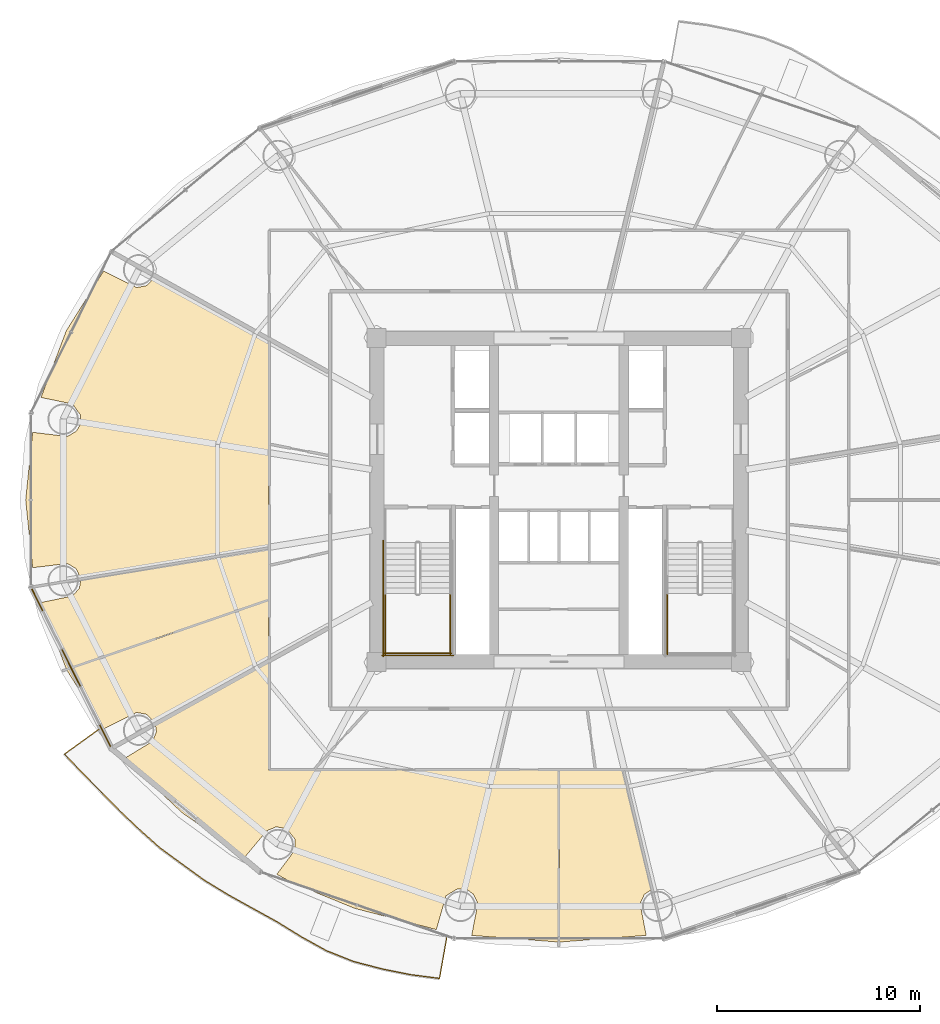
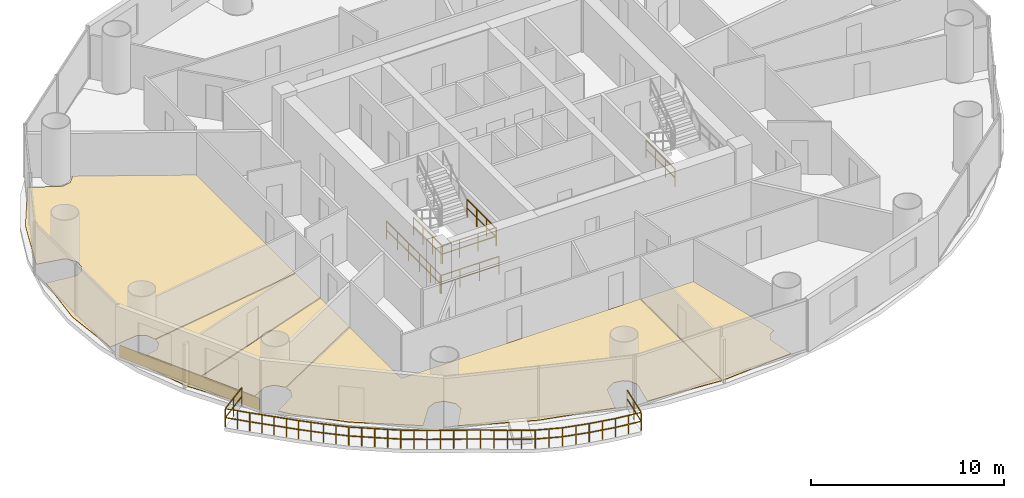
# One storey, part 26 of 29: 7 railings, 6 coverings.
"""IFC4 building model written with IfcOpenShell, lengths in metres."""

from ifc_helpers import new_model, si_unit, direction, frame, origin, origin_2d, place, context, subcontext, project, spatial, polyline, rectangle, outline, extrude, source, transform, mapped, material, layer, layer_set, type_object, element, save


model = new_model("IFC4")

# Units and contexts
model_context = context("Model", 3, precision=1e-05, world=origin(), true_north=direction((-0.2419218956, 0.970295726276)))
body_context = subcontext(model_context, "Body", "Model", "MODEL_VIEW")
ifc_project = project(units=[si_unit("LENGTHUNIT", "METRE"), si_unit("AREAUNIT", "SQUARE_METRE"), si_unit("VOLUMEUNIT", "CUBIC_METRE"), si_unit("PLANEANGLEUNIT", "RADIAN"), si_unit("MASSUNIT", "GRAM", prefix="KILO")], contexts=[model_context])

# Site, building, storey
site_placement = place(None, origin())
site = spatial("IfcSite", under=ifc_project, at=site_placement, CompositionType="ELEMENT")
building_placement = place(site_placement, origin())
building = spatial("IfcBuilding", under=site, at=building_placement, Name="Cobrevalo Terracotta Tower", CompositionType="ELEMENT")
storey_placement = place(building_placement, frame((0.0, 0.0, 123.0)))
storey = spatial("IfcBuildingStorey", under=building, at=storey_placement, Name="L32", CompositionType="ELEMENT", Elevation=123.0)

# Railing
ifc_material_1 = material(Name="Laminated structural glass and stainless steel", Category="steel")
railing_type_1 = type_object("IfcRailingType", Name="Balcony lobe structural glass & terracotta-cap balustrade 1180 mm", PredefinedType="BALUSTRADE", material=ifc_material_1)
railing_1_placement = place(storey_placement, frame((15.290771484375, 15.48388671875, 0.0)))
element("IfcRailing", 1, at=railing_1_placement, inside=storey, type_object=railing_type_1, Name="L32 spiralling balcony lobe balustrade 2", PredefinedType="BALUSTRADE", context=body_context, shape_type="SweptSolid", body=[
    extrude(rectangle(XDim=0.048095703125, YDim=0.048095703125, at=origin_2d()), frame((0.0, 0.0, 1.15576171875), z_axis=(-0.81100517667, -0.585038975978, 0.0), x_axis=(0.585038975978, -0.81100517667, 0.0)), (0.0, 0.0, 1.0), 2.0927734375),
    extrude(rectangle(XDim=0.048095703125, YDim=0.048095703125, at=origin_2d()), frame((0.0, 0.0, 0.58984375), z_axis=(-0.81100517667, -0.585038975978, 0.0), x_axis=(0.585038975978, -0.81100517667, 0.0)), (0.0, 0.0, 1.0), 2.0927734375),
    extrude(rectangle(XDim=0.048095703125, YDim=0.048095703125, at=origin_2d()), frame((-1.697265625, -1.224365234375, 1.15576171875), z_axis=(0.688307770332, -0.725418784773, 0.0), x_axis=(0.725418784773, 0.688307770332, 0.0)), (0.0, 0.0, 1.0), 1.322265625),
    extrude(rectangle(XDim=0.048095703125, YDim=0.048095703125, at=origin_2d()), frame((-1.697265625, -1.224365234375, 0.58984375), z_axis=(0.688307770332, -0.725418784773, 0.0), x_axis=(0.725418784773, 0.688307770332, 0.0)), (0.0, 0.0, 1.0), 1.322265625),
    extrude(rectangle(XDim=0.048095703125, YDim=0.048095703125, at=origin_2d()), frame((-0.787109375, -2.18359375, 1.15576171875), z_axis=(0.704398841693, -0.70980438983, 0.0), x_axis=(0.70980438983, 0.704398841693, 0.0)), (0.0, 0.0, 1.0), 1.309814453125),
    extrude(rectangle(XDim=0.048095703125, YDim=0.048095703125, at=origin_2d()), frame((-0.787109375, -2.18359375, 0.58984375), z_axis=(0.704398841693, -0.70980438983, 0.0), x_axis=(0.70980438983, 0.704398841693, 0.0)), (0.0, 0.0, 1.0), 1.309814453125),
    extrude(rectangle(XDim=0.048095703125, YDim=0.048095703125, at=origin_2d()), frame((0.135498046875, -3.11328125, 1.15576171875), z_axis=(0.698748314657, -0.715367592754, 0.0), x_axis=(0.715367592754, 0.698748314657, 0.0)), (0.0, 0.0, 1.0), 1.322021484375),
    extrude(rectangle(XDim=0.048095703125, YDim=0.048095703125, at=origin_2d()), frame((0.135498046875, -3.11328125, 0.58984375), z_axis=(0.698748314657, -0.715367592754, 0.0), x_axis=(0.715367592754, 0.698748314657, 0.0)), (0.0, 0.0, 1.0), 1.322021484375),
    extrude(rectangle(XDim=0.048095703125, YDim=0.048095703125, at=origin_2d()), frame((1.059326171875, -4.05908203125, 1.15576171875), z_axis=(0.72630485997, -0.687372715769, 0.0), x_axis=(0.687372715769, 0.72630485997, 0.0)), (0.0, 0.0, 1.0), 1.329345703125),
    extrude(rectangle(XDim=0.048095703125, YDim=0.048095703125, at=origin_2d()), frame((1.059326171875, -4.05908203125, 0.58984375), z_axis=(0.72630485997, -0.687372715769, 0.0), x_axis=(0.687372715769, 0.72630485997, 0.0)), (0.0, 0.0, 1.0), 1.329345703125),
    extrude(rectangle(XDim=0.048095703125, YDim=0.048095703125, at=origin_2d()), frame((2.02490234375, -4.972900390625, 1.15576171875), z_axis=(0.746873265883, -0.664966408707, 0.0), x_axis=(0.664966408707, 0.746873265883, 0.0)), (0.0, 0.0, 1.0), 1.332275390625),
    extrude(rectangle(XDim=0.048095703125, YDim=0.048095703125, at=origin_2d()), frame((2.02490234375, -4.972900390625, 0.58984375), z_axis=(0.746873265883, -0.664966408707, 0.0), x_axis=(0.664966408707, 0.746873265883, 0.0)), (0.0, 0.0, 1.0), 1.332275390625),
    extrude(rectangle(XDim=0.048095703125, YDim=0.048095703125, at=origin_2d()), frame((3.02001953125, -5.85888671875, 1.15576171875), z_axis=(0.807394422077, -0.590012073773, 0.0), x_axis=(0.590012073773, 0.807394422077, 0.0)), (0.0, 0.0, 1.0), 1.35546875),
    extrude(rectangle(XDim=0.048095703125, YDim=0.048095703125, at=origin_2d()), frame((3.02001953125, -5.85888671875, 0.58984375), z_axis=(0.807394422077, -0.590012073773, 0.0), x_axis=(0.590012073773, 0.807394422077, 0.0)), (0.0, 0.0, 1.0), 1.35546875),
    extrude(rectangle(XDim=0.048095703125, YDim=0.048095703125, at=origin_2d()), frame((4.114501953125, -6.65869140625, 1.15576171875), z_axis=(0.809398321105, -0.587260042735, 0.0), x_axis=(0.587260042735, 0.809398321105, 0.0)), (0.0, 0.0, 1.0), 1.35400390625),
    extrude(rectangle(XDim=0.048095703125, YDim=0.048095703125, at=origin_2d()), frame((4.114501953125, -6.65869140625, 0.58984375), z_axis=(0.809398321105, -0.587260042735, 0.0), x_axis=(0.587260042735, 0.809398321105, 0.0)), (0.0, 0.0, 1.0), 1.35400390625),
    extrude(rectangle(XDim=0.048095703125, YDim=0.048095703125, at=origin_2d()), frame((5.21044921875, -7.453857421875, 1.15576171875), z_axis=(0.853916029484, -0.520410813291, 0.0), x_axis=(0.520410813291, 0.853916029484, 0.0)), (0.0, 0.0, 1.0), 1.368896484375),
    extrude(rectangle(XDim=0.048095703125, YDim=0.048095703125, at=origin_2d()), frame((5.21044921875, -7.453857421875, 0.58984375), z_axis=(0.853916029484, -0.520410813291, 0.0), x_axis=(0.520410813291, 0.853916029484, 0.0)), (0.0, 0.0, 1.0), 1.368896484375),
    extrude(rectangle(XDim=0.048095703125, YDim=0.048095703125, at=origin_2d()), frame((6.37939453125, -8.166259765625, 1.15576171875), z_axis=(0.87437430677, -0.485252070228, 0.0), x_axis=(0.485252070228, 0.87437430677, 0.0)), (0.0, 0.0, 1.0), 1.379150390625),
    extrude(rectangle(XDim=0.048095703125, YDim=0.048095703125, at=origin_2d()), frame((6.37939453125, -8.166259765625, 0.58984375), z_axis=(0.87437430677, -0.485252070228, 0.0), x_axis=(0.485252070228, 0.87437430677, 0.0)), (0.0, 0.0, 1.0), 1.379150390625),
    extrude(rectangle(XDim=0.048095703125, YDim=0.048095703125, at=origin_2d()), frame((7.585205078125, -8.83544921875, 1.15576171875), z_axis=(0.875928247424, -0.482441400964, 0.0), x_axis=(0.482441400964, 0.875928247424, 0.0)), (0.0, 0.0, 1.0), 1.380615234375),
    extrude(rectangle(XDim=0.048095703125, YDim=0.048095703125, at=origin_2d()), frame((7.585205078125, -8.83544921875, 0.58984375), z_axis=(0.875928247424, -0.482441400964, 0.0), x_axis=(0.482441400964, 0.875928247424, 0.0)), (0.0, 0.0, 1.0), 1.380615234375),
    extrude(rectangle(XDim=0.048095703125, YDim=0.048095703125, at=origin_2d()), frame((8.79443359375, -9.50146484375, 1.15576171875), z_axis=(0.850942755736, -0.525258437781, 0.0), x_axis=(0.525258437781, 0.850942755736, 0.0)), (0.0, 0.0, 1.0), 1.4189453125),
    extrude(rectangle(XDim=0.048095703125, YDim=0.048095703125, at=origin_2d()), frame((8.79443359375, -9.50146484375, 0.58984375), z_axis=(0.850942755736, -0.525258437781, 0.0), x_axis=(0.525258437781, 0.850942755736, 0.0)), (0.0, 0.0, 1.0), 1.4189453125),
    extrude(rectangle(XDim=0.048095703125, YDim=0.048095703125, at=origin_2d()), frame((10.001953125, -10.246826171875, 1.15576171875), z_axis=(0.874818125038, -0.484451492004, 0.0), x_axis=(0.484451492004, 0.874818125038, 0.0)), (0.0, 0.0, 1.0), 1.42724609375),
    extrude(rectangle(XDim=0.048095703125, YDim=0.048095703125, at=origin_2d()), frame((10.001953125, -10.246826171875, 0.58984375), z_axis=(0.874818125038, -0.484451492004, 0.0), x_axis=(0.484451492004, 0.874818125038, 0.0)), (0.0, 0.0, 1.0), 1.42724609375),
    extrude(rectangle(XDim=0.048095703125, YDim=0.048095703125, at=origin_2d()), frame((11.25048828125, -10.938232421875, 1.15576171875), z_axis=(0.929766433418, -0.368149941313, 0.0), x_axis=(0.368149941313, 0.929766433418, 0.0)), (0.0, 0.0, 1.0), 1.4296875),
    extrude(rectangle(XDim=0.048095703125, YDim=0.048095703125, at=origin_2d()), frame((11.25048828125, -10.938232421875, 0.58984375), z_axis=(0.929766433418, -0.368149941313, 0.0), x_axis=(0.368149941313, 0.929766433418, 0.0)), (0.0, 0.0, 1.0), 1.4296875),
    extrude(rectangle(XDim=0.048095703125, YDim=0.048095703125, at=origin_2d()), frame((12.579833984375, -11.464599609375, 1.15576171875), z_axis=(0.967928180012, -0.251227065299, 0.0), x_axis=(0.251227065299, 0.967928180012, 0.0)), (0.0, 0.0, 1.0), 1.439208984375),
    extrude(rectangle(XDim=0.048095703125, YDim=0.048095703125, at=origin_2d()), frame((12.579833984375, -11.464599609375, 0.58984375), z_axis=(0.967928180012, -0.251227065299, 0.0), x_axis=(0.251227065299, 0.967928180012, 0.0)), (0.0, 0.0, 1.0), 1.439208984375),
    extrude(rectangle(XDim=0.048095703125, YDim=0.048095703125, at=origin_2d()), frame((13.972900390625, -11.826171875, 1.15576171875), z_axis=(0.980173002622, -0.198143596747, 0.0), x_axis=(0.198143596747, 0.980173002622, 0.0)), (0.0, 0.0, 1.0), 1.435546875),
    extrude(rectangle(XDim=0.048095703125, YDim=0.048095703125, at=origin_2d()), frame((13.972900390625, -11.826171875, 0.58984375), z_axis=(0.980173002622, -0.198143596747, 0.0), x_axis=(0.198143596747, 0.980173002622, 0.0)), (0.0, 0.0, 1.0), 1.435546875),
    extrude(rectangle(XDim=0.048095703125, YDim=0.048095703125, at=origin_2d()), frame((15.3798828125, -12.110595703125, 1.15576171875), z_axis=(0.991680186673, -0.128726094323, 0.0), x_axis=(0.128726094323, 0.991680186673, 0.0)), (0.0, 0.0, 1.0), 1.447021484375),
    extrude(rectangle(XDim=0.048095703125, YDim=0.048095703125, at=origin_2d()), frame((15.3798828125, -12.110595703125, 0.58984375), z_axis=(0.991680186673, -0.128726094323, 0.0), x_axis=(0.128726094323, 0.991680186673, 0.0)), (0.0, 0.0, 1.0), 1.447021484375),
    extrude(rectangle(XDim=0.048095703125, YDim=0.048095703125, at=origin_2d()), frame((16.81494140625, -12.296875, 1.15576171875), z_axis=(0.174744144507, 0.984613875568, 0.0), x_axis=(-0.984613875568, 0.174744144507, 0.0)), (0.0, 0.0, 1.0), 2.1640625),
    extrude(rectangle(XDim=0.048095703125, YDim=0.048095703125, at=origin_2d()), frame((16.81494140625, -12.296875, 0.58984375), z_axis=(0.174744144507, 0.984613875568, 0.0), x_axis=(-0.984613875568, 0.174744144507, 0.0)), (0.0, 0.0, 1.0), 2.1640625),
    extrude(rectangle(XDim=0.0419921875, YDim=0.0419921875, at=origin_2d()), origin(), (0.0, 0.0, 1.0), 1.1318359375),
    extrude(rectangle(XDim=0.0419921875, YDim=0.0419921875, at=origin_2d()), frame((-0.8486328125, -0.6123046875, 0.0)), (0.0, 0.0, 1.0), 1.1318359375),
    extrude(rectangle(XDim=0.0419921875, YDim=0.0419921875, at=origin_2d()), frame((-1.697265625, -1.224365234375, 0.0)), (0.0, 0.0, 1.0), 1.1318359375),
    extrude(rectangle(XDim=0.0419921875, YDim=0.0419921875, at=origin_2d()), frame((-1.2421875, -1.7041015625, 0.0)), (0.0, 0.0, 1.0), 1.1318359375),
    extrude(rectangle(XDim=0.0419921875, YDim=0.0419921875, at=origin_2d()), frame((-0.787109375, -2.18359375, 0.0)), (0.0, 0.0, 1.0), 1.1318359375),
    extrude(rectangle(XDim=0.0419921875, YDim=0.0419921875, at=origin_2d()), frame((-0.32568359375, -2.6484375, 0.0)), (0.0, 0.0, 1.0), 1.1318359375),
    extrude(rectangle(XDim=0.0419921875, YDim=0.0419921875, at=origin_2d()), frame((0.135498046875, -3.11328125, 0.0)), (0.0, 0.0, 1.0), 1.1318359375),
    extrude(rectangle(XDim=0.0419921875, YDim=0.0419921875, at=origin_2d()), frame((0.597412109375, -3.586181640625, 0.0)), (0.0, 0.0, 1.0), 1.1318359375),
    extrude(rectangle(XDim=0.0419921875, YDim=0.0419921875, at=origin_2d()), frame((1.059326171875, -4.05908203125, 0.0)), (0.0, 0.0, 1.0), 1.1318359375),
    extrude(rectangle(XDim=0.0419921875, YDim=0.0419921875, at=origin_2d()), frame((1.5419921875, -4.51611328125, 0.0)), (0.0, 0.0, 1.0), 1.1318359375),
    extrude(rectangle(XDim=0.0419921875, YDim=0.0419921875, at=origin_2d()), frame((2.02490234375, -4.972900390625, 0.0)), (0.0, 0.0, 1.0), 1.1318359375),
    extrude(rectangle(XDim=0.0419921875, YDim=0.0419921875, at=origin_2d()), frame((2.5224609375, -5.416015625, 0.0)), (0.0, 0.0, 1.0), 1.1318359375),
    extrude(rectangle(XDim=0.0419921875, YDim=0.0419921875, at=origin_2d()), frame((3.02001953125, -5.85888671875, 0.0)), (0.0, 0.0, 1.0), 1.1318359375),
    extrude(rectangle(XDim=0.0419921875, YDim=0.0419921875, at=origin_2d()), frame((3.5673828125, -6.2587890625, 0.0)), (0.0, 0.0, 1.0), 1.1318359375),
    extrude(rectangle(XDim=0.0419921875, YDim=0.0419921875, at=origin_2d()), frame((4.114501953125, -6.65869140625, 0.0)), (0.0, 0.0, 1.0), 1.1318359375),
    extrude(rectangle(XDim=0.0419921875, YDim=0.0419921875, at=origin_2d()), frame((4.66259765625, -7.05615234375, 0.0)), (0.0, 0.0, 1.0), 1.1318359375),
    extrude(rectangle(XDim=0.0419921875, YDim=0.0419921875, at=origin_2d()), frame((5.21044921875, -7.453857421875, 0.0)), (0.0, 0.0, 1.0), 1.1318359375),
    extrude(rectangle(XDim=0.0419921875, YDim=0.0419921875, at=origin_2d()), frame((5.794921875, -7.81005859375, 0.0)), (0.0, 0.0, 1.0), 1.1318359375),
    extrude(rectangle(XDim=0.0419921875, YDim=0.0419921875, at=origin_2d()), frame((6.37939453125, -8.166259765625, 0.0)), (0.0, 0.0, 1.0), 1.1318359375),
    extrude(rectangle(XDim=0.0419921875, YDim=0.0419921875, at=origin_2d()), frame((6.982421875, -8.5009765625, 0.0)), (0.0, 0.0, 1.0), 1.1318359375),
    extrude(rectangle(XDim=0.0419921875, YDim=0.0419921875, at=origin_2d()), frame((7.585205078125, -8.83544921875, 0.0)), (0.0, 0.0, 1.0), 1.1318359375),
    extrude(rectangle(XDim=0.0419921875, YDim=0.0419921875, at=origin_2d()), frame((8.18994140625, -9.16845703125, 0.0)), (0.0, 0.0, 1.0), 1.1318359375),
    extrude(rectangle(XDim=0.0419921875, YDim=0.0419921875, at=origin_2d()), frame((8.79443359375, -9.50146484375, 0.0)), (0.0, 0.0, 1.0), 1.1318359375),
    extrude(rectangle(XDim=0.0419921875, YDim=0.0419921875, at=origin_2d()), frame((9.398193359375, -9.8740234375, 0.0)), (0.0, 0.0, 1.0), 1.1318359375),
    extrude(rectangle(XDim=0.0419921875, YDim=0.0419921875, at=origin_2d()), frame((10.001953125, -10.246826171875, 0.0)), (0.0, 0.0, 1.0), 1.1318359375),
    extrude(rectangle(XDim=0.0419921875, YDim=0.0419921875, at=origin_2d()), frame((10.626220703125, -10.592529296875, 0.0)), (0.0, 0.0, 1.0), 1.1318359375),
    extrude(rectangle(XDim=0.0419921875, YDim=0.0419921875, at=origin_2d()), frame((11.25048828125, -10.938232421875, 0.0)), (0.0, 0.0, 1.0), 1.1318359375),
    extrude(rectangle(XDim=0.0419921875, YDim=0.0419921875, at=origin_2d()), frame((11.9150390625, -11.201416015625, 0.0)), (0.0, 0.0, 1.0), 1.1318359375),
    extrude(rectangle(XDim=0.0419921875, YDim=0.0419921875, at=origin_2d()), frame((12.579833984375, -11.464599609375, 0.0)), (0.0, 0.0, 1.0), 1.1318359375),
    extrude(rectangle(XDim=0.0419921875, YDim=0.0419921875, at=origin_2d()), frame((13.2763671875, -11.6455078125, 0.0)), (0.0, 0.0, 1.0), 1.1318359375),
    extrude(rectangle(XDim=0.0419921875, YDim=0.0419921875, at=origin_2d()), frame((13.972900390625, -11.826171875, 0.0)), (0.0, 0.0, 1.0), 1.1318359375),
    extrude(rectangle(XDim=0.0419921875, YDim=0.0419921875, at=origin_2d()), frame((14.67626953125, -11.96826171875, 0.0)), (0.0, 0.0, 1.0), 1.1318359375),
    extrude(rectangle(XDim=0.0419921875, YDim=0.0419921875, at=origin_2d()), frame((15.3798828125, -12.110595703125, 0.0)), (0.0, 0.0, 1.0), 1.1318359375),
    extrude(rectangle(XDim=0.0419921875, YDim=0.0419921875, at=origin_2d()), frame((16.097412109375, -12.20361328125, 0.0)), (0.0, 0.0, 1.0), 1.1318359375),
    extrude(rectangle(XDim=0.0419921875, YDim=0.0419921875, at=origin_2d()), frame((16.81494140625, -12.296875, 0.0)), (0.0, 0.0, 1.0), 1.1318359375),
    extrude(rectangle(XDim=0.0419921875, YDim=0.0419921875, at=origin_2d()), frame((17.00390625, -11.2314453125, 0.0)), (0.0, 0.0, 1.0), 1.1318359375),
    extrude(rectangle(XDim=0.0419921875, YDim=0.0419921875, at=origin_2d()), frame((17.193115234375, -10.166015625, 0.0)), (0.0, 0.0, 1.0), 1.1318359375),
])

# Coverings
ifc_material_2 = material(Name="Engineered Brazilian hardwood flooring", Category="wood")
ifc_layer_1 = layer(ifc_material_2, 0.028076171875)
ifc_layer_set_1 = layer_set([ifc_layer_1], Name="Engineered Brazilian hardwood flooring")
covering_type_1 = type_object("IfcCoveringType", Name="Engineered Hardwood Suite Flooring 28", PredefinedType="FLOORING", material=ifc_layer_set_1)
covering_1_placement = place(storey_placement, origin())
element("IfcCovering", 2, at=covering_1_placement, inside=storey, type_object=covering_type_1, Name="Flat L32C Penthouse Living and Dining Room floor finish", PredefinedType="FLOORING", context=body_context, shape_type="SweptSolid", body=[
    extrude(outline(polyline([(11.68017578125, 26.800048828125), (12.024169921875, 30.143310546875), (13.73095703125, 29.932861328125), (14.1728515625, 30.189208984375), (14.353759765625, 30.481201171875), (14.38623046875, 30.9912109375), (13.99267578125, 31.537841796875), (12.435791015625, 31.859619140625), (13.682861328125, 35.14892578125), (15.525146484375, 38.10546875), (17.15966796875, 37.286376953125), (17.661865234375, 37.381103515625), (18.0703125, 37.8408203125), (23.675048828125, 34.7294921875), (23.675048828125, 24.452880859375), (14.39697265625, 22.919677734375), (14.1728515625, 23.41064453125), (13.73095703125, 23.6669921875), (12.024169921875, 23.45654296875), (11.68017578125, 26.800048828125)])), origin(), (0.0, 0.0, 1.0), 0.030029296875),
])
covering_2_placement = place(storey_placement, origin())
element("IfcCovering", 3, at=covering_2_placement, inside=storey, type_object=covering_type_1, Name="Flat L32C Master Bedroom floor finish", PredefinedType="FLOORING", context=body_context, shape_type="SweptSolid", body=[
    extrude(outline(polyline([(12.435791015625, 21.740478515625), (13.99267578125, 22.06201171875), (14.330322265625, 22.445556640625), (14.402587890625, 22.8798828125), (23.675048828125, 24.412353515625), (23.675048828125, 21.891357421875), (13.6845703125, 18.453369140625), (12.435791015625, 21.740478515625)])), origin(), (0.0, 0.0, 1.0), 0.030029296875),
])
covering_3_placement = place(storey_placement, origin())
element("IfcCovering", 4, at=covering_3_placement, inside=storey, type_object=covering_type_1, Name="Flat L32C Penthouse Family Lounge floor finish", PredefinedType="FLOORING", context=body_context, shape_type="SweptSolid", body=[
    extrude(outline(polyline([(18.0703125, 15.759033203125), (17.661865234375, 16.218994140625), (17.15966796875, 16.3134765625), (15.525146484375, 15.49462890625), (13.703125, 18.417236328125), (23.675048828125, 21.84912109375), (23.675048828125, 18.870361328125), (18.0703125, 15.759033203125)])), origin(), (0.0, 0.0, 1.0), 0.030029296875),
])
covering_4_placement = place(storey_placement, origin())
element("IfcCovering", 5, at=covering_4_placement, inside=storey, type_object=covering_type_1, Name="Flat L32D Penthouse Living and Dining Room floor finish", PredefinedType="FLOORING", context=body_context, shape_type="SweptSolid", body=[
    extrude(outline(polyline([(33.6904296875, 5.310791015625), (34.002197265625, 6.87841796875), (33.7802734375, 7.3388671875), (33.5029296875, 7.541259765625), (32.9970703125, 7.612548828125), (32.421875, 7.261962890625), (31.94921875, 5.59814453125), (27.926513671875, 6.641357421875), (24.838623046875, 7.904052734375), (24.07568359375, 8.32666015625), (24.9814453125, 9.543701171875), (24.97998046875, 10.0546875), (24.55078125, 10.573974609375), (24.04931640625, 10.672119140625), (23.577880859375, 10.474853515625), (22.511474609375, 9.193359375), (19.3876953125, 11.372314453125), (17.117919921875, 13.518310546875), (16.64697265625, 14.102294921875), (17.94091796875, 14.88720703125), (18.131591796875, 15.361328125), (18.083740234375, 15.720703125), (23.675048828125, 18.82470703125), (23.675048828125, 13.47509765625), (37.97998046875, 13.47509765625), (37.97998046875, 4.981201171875), (33.6904296875, 5.310791015625)])), origin(), (0.0, 0.0, 1.0), 0.030029296875),
])
covering_5_placement = place(storey_placement, origin())
element("IfcCovering", 6, at=covering_5_placement, inside=storey, type_object=covering_type_1, Name="Flat L32D Master Bedroom floor finish", PredefinedType="FLOORING", context=body_context, shape_type="SweptSolid", body=[
    extrude(outline(polyline([(38.02001953125, 4.981201171875), (38.02001953125, 13.47509765625), (41.169677734375, 13.47509765625), (42.5830078125, 7.5712890625), (42.2197265625, 7.3388671875), (41.997802734375, 6.87841796875), (42.3095703125, 5.310791015625), (38.02001953125, 4.981201171875)])), origin(), (0.0, 0.0, 1.0), 0.030029296875),
])

# Railings
ifc_material_3 = material(Name="Painted galvanized steel", Category="steel")
railing_type_2 = type_object("IfcRailingType", Name="Stair Well Guard Balustrade 1150", PredefinedType="GUARDRAIL", material=ifc_material_3)
for number, where, name in (
    (7, (29.425048828125, 22.179931640625, 1.800048828125), "L32 ST-1 stair guard 3"),
    (8, (32.64501953125, 22.179931640625, 1.800048828125), "L32 ST-1 stair guard 4"),
):
    element("IfcRailing", number, at=place(storey_placement, frame(where)), inside=storey, type_object=railing_type_2, Name=name, PredefinedType="GUARDRAIL", context=body_context, shape_type="SweptSolid", body=[
        extrude(rectangle(XDim=0.048095703125, YDim=0.048095703125, at=origin_2d()), frame((0.0, 0.0, 1.1259765625), z_axis=(0.0, -1.0, 0.0), x_axis=(1.0, 0.0, 0.0)), (0.0, 0.0, 1.0), 3.0048828125),
        extrude(rectangle(XDim=0.048095703125, YDim=0.048095703125, at=origin_2d()), frame((0.0, 0.0, 0.574951171875), z_axis=(0.0, -1.0, 0.0), x_axis=(1.0, 0.0, 0.0)), (0.0, 0.0, 1.0), 3.0048828125),
        extrude(rectangle(XDim=0.0419921875, YDim=0.0419921875, at=origin_2d()), origin(), (0.0, 0.0, 1.0), 1.101806640625),
        extrude(rectangle(XDim=0.0419921875, YDim=0.0419921875, at=origin_2d()), frame((0.0, -1.001708984375, 0.0)), (0.0, 0.0, 1.0), 1.101806640625),
        extrude(rectangle(XDim=0.0419921875, YDim=0.0419921875, at=origin_2d()), frame((0.0, -2.003173828125, 0.0)), (0.0, 0.0, 1.0), 1.101806640625),
        extrude(rectangle(XDim=0.0419921875, YDim=0.0419921875, at=origin_2d()), frame((0.0, -3.0048828125, 0.0)), (0.0, 0.0, 1.0), 1.101806640625),
    ])
railing_2_placement = place(storey_placement, frame((29.375, 19.22509765625, 1.800048828125)))
element("IfcRailing", 9, at=railing_2_placement, inside=storey, type_object=railing_type_2, Name="L32 ST-1 stair guard 5", PredefinedType="GUARDRAIL", context=body_context, shape_type="SweptSolid", body=[
    extrude(rectangle(XDim=0.048095703125, YDim=0.048095703125, at=origin_2d()), frame((0.0, 0.0, 1.1259765625), z_axis=(1.0, 0.0, 0.0), x_axis=(0.0, 1.0, 0.0)), (0.0, 0.0, 1.0), 3.320068359375),
    extrude(rectangle(XDim=0.048095703125, YDim=0.048095703125, at=origin_2d()), frame((0.0, 0.0, 0.574951171875), z_axis=(1.0, 0.0, 0.0), x_axis=(0.0, 1.0, 0.0)), (0.0, 0.0, 1.0), 3.320068359375),
    extrude(rectangle(XDim=0.0419921875, YDim=0.0419921875, at=origin_2d()), origin(), (0.0, 0.0, 1.0), 1.101806640625),
    extrude(rectangle(XDim=0.0419921875, YDim=0.0419921875, at=origin_2d()), frame((1.106689453125, 0.0, 0.0)), (0.0, 0.0, 1.0), 1.101806640625),
    extrude(rectangle(XDim=0.0419921875, YDim=0.0419921875, at=origin_2d()), frame((2.21337890625, 0.0, 0.0)), (0.0, 0.0, 1.0), 1.101806640625),
    extrude(rectangle(XDim=0.0419921875, YDim=0.0419921875, at=origin_2d()), frame((3.320068359375, 0.0, 0.0)), (0.0, 0.0, 1.0), 1.101806640625),
])
railing_3_placement = place(storey_placement, frame((29.324951171875, 24.800048828125, 0.0)))
element("IfcRailing", 10, at=railing_3_placement, inside=storey, type_object=railing_type_2, Name="L32 ST-1 stair guard 10", PredefinedType="GUARDRAIL", context=body_context, shape_type="SweptSolid", body=[
    extrude(rectangle(XDim=0.048095703125, YDim=0.048095703125, at=origin_2d()), frame((0.0, 0.0, 1.1259765625), z_axis=(0.0, -1.0, 0.0), x_axis=(1.0, 0.0, 0.0)), (0.0, 0.0, 1.0), 5.72509765625),
    extrude(rectangle(XDim=0.048095703125, YDim=0.048095703125, at=origin_2d()), frame((0.0, 0.0, 0.574951171875), z_axis=(0.0, -1.0, 0.0), x_axis=(1.0, 0.0, 0.0)), (0.0, 0.0, 1.0), 5.72509765625),
    extrude(rectangle(XDim=0.0419921875, YDim=0.0419921875, at=origin_2d()), origin(), (0.0, 0.0, 1.0), 1.101806640625),
    extrude(rectangle(XDim=0.0419921875, YDim=0.0419921875, at=origin_2d()), frame((0.0, -1.14501953125, 0.0)), (0.0, 0.0, 1.0), 1.101806640625),
    extrude(rectangle(XDim=0.0419921875, YDim=0.0419921875, at=origin_2d()), frame((0.0, -2.2900390625, 0.0)), (0.0, 0.0, 1.0), 1.101806640625),
    extrude(rectangle(XDim=0.0419921875, YDim=0.0419921875, at=origin_2d()), frame((0.0, -3.43505859375, 0.0)), (0.0, 0.0, 1.0), 1.101806640625),
    extrude(rectangle(XDim=0.0419921875, YDim=0.0419921875, at=origin_2d()), frame((0.0, -4.580078125, 0.0)), (0.0, 0.0, 1.0), 1.101806640625),
    extrude(rectangle(XDim=0.0419921875, YDim=0.0419921875, at=origin_2d()), frame((0.0, -5.72509765625, 0.0)), (0.0, 0.0, 1.0), 1.101806640625),
])
railing_4_placement = place(storey_placement, frame((29.27490234375, 19.125, 0.0)))
element("IfcRailing", 11, at=railing_4_placement, inside=storey, type_object=railing_type_2, Name="L32 ST-1 stair guard 12", PredefinedType="GUARDRAIL", context=body_context, shape_type="SweptSolid", body=[
    extrude(rectangle(XDim=0.048095703125, YDim=0.048095703125, at=origin_2d()), frame((0.0, 0.0, 1.1259765625), z_axis=(1.0, 0.0, 0.0), x_axis=(0.0, 1.0, 0.0)), (0.0, 0.0, 1.0), 3.52001953125),
    extrude(rectangle(XDim=0.048095703125, YDim=0.048095703125, at=origin_2d()), frame((0.0, 0.0, 0.574951171875), z_axis=(1.0, 0.0, 0.0), x_axis=(0.0, 1.0, 0.0)), (0.0, 0.0, 1.0), 3.52001953125),
    extrude(rectangle(XDim=0.0419921875, YDim=0.0419921875, at=origin_2d()), origin(), (0.0, 0.0, 1.0), 1.101806640625),
    extrude(rectangle(XDim=0.0419921875, YDim=0.0419921875, at=origin_2d()), frame((1.17333984375, 0.0, 0.0)), (0.0, 0.0, 1.0), 1.101806640625),
    extrude(rectangle(XDim=0.0419921875, YDim=0.0419921875, at=origin_2d()), frame((2.3466796875, 0.0, 0.0)), (0.0, 0.0, 1.0), 1.101806640625),
    extrude(rectangle(XDim=0.0419921875, YDim=0.0419921875, at=origin_2d()), frame((3.52001953125, 0.0, 0.0)), (0.0, 0.0, 1.0), 1.101806640625),
])
railing_5_placement = place(storey_placement, frame((43.35498046875, 22.179931640625, 1.800048828125)))
element("IfcRailing", 12, at=railing_5_placement, inside=storey, type_object=railing_type_2, Name="L32 ST-2 stair guard 3", PredefinedType="GUARDRAIL", context=body_context, shape_type="SweptSolid", body=[
    extrude(rectangle(XDim=0.048095703125, YDim=0.048095703125, at=origin_2d()), frame((0.0, 0.0, 1.1259765625), z_axis=(0.0, -1.0, 0.0), x_axis=(1.0, 0.0, 0.0)), (0.0, 0.0, 1.0), 3.0048828125),
    extrude(rectangle(XDim=0.048095703125, YDim=0.048095703125, at=origin_2d()), frame((0.0, 0.0, 0.574951171875), z_axis=(0.0, -1.0, 0.0), x_axis=(1.0, 0.0, 0.0)), (0.0, 0.0, 1.0), 3.0048828125),
    extrude(rectangle(XDim=0.0419921875, YDim=0.0419921875, at=origin_2d()), origin(), (0.0, 0.0, 1.0), 1.101806640625),
    extrude(rectangle(XDim=0.0419921875, YDim=0.0419921875, at=origin_2d()), frame((0.0, -1.001708984375, 0.0)), (0.0, 0.0, 1.0), 1.101806640625),
    extrude(rectangle(XDim=0.0419921875, YDim=0.0419921875, at=origin_2d()), frame((0.0, -2.003173828125, 0.0)), (0.0, 0.0, 1.0), 1.101806640625),
    extrude(rectangle(XDim=0.0419921875, YDim=0.0419921875, at=origin_2d()), frame((0.0, -3.0048828125, 0.0)), (0.0, 0.0, 1.0), 1.101806640625),
])

# Covering
ifc_material_4 = material(Name="Glazed terracotta facade cladding tile", Category="masonry")
ifc_layer_2 = layer(ifc_material_4, 0.044921875)
ifc_layer_set_2 = layer_set([ifc_layer_2], Name="Glazed terracotta facade cladding tile")
covering_type_2 = type_object("IfcCoveringType", Name="Architectural terracotta rainscreen spandrel cladding 45 mm", PredefinedType="CLADDING", material=ifc_layer_set_2)
shared_shape = source(origin(), body_context, "Body", "SweptSolid", [
    extrude(rectangle(XDim=8.690185546875, YDim=0.044921875, at=origin_2d()), origin(), (0.0, 0.0, 1.0), 0.760009765625),
])
covering_6_placement = place(storey_placement, frame((13.924072265625, 18.516357421875, 0.0400390625), z_axis=(0.0, 0.0, 1.0), x_axis=(0.446261852127, -0.894902430065, 0.0)))
element("IfcCovering", 13, at=covering_6_placement, inside=storey, type_object=covering_type_2, Name="L32 terracotta spandrel cladding S09", PredefinedType="CLADDING", context=body_context, shape_type="MappedRepresentation", body=[
    mapped(shared_shape, transform((0.0, 0.0, 0.0), scale=1.0)),
])

save(model, "model.ifc")
